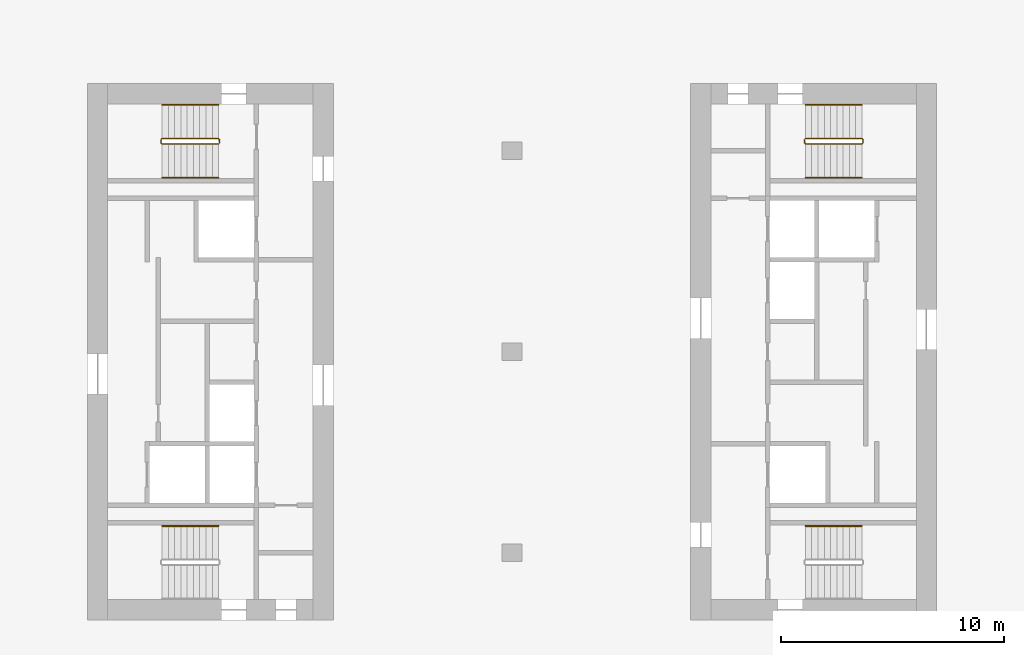
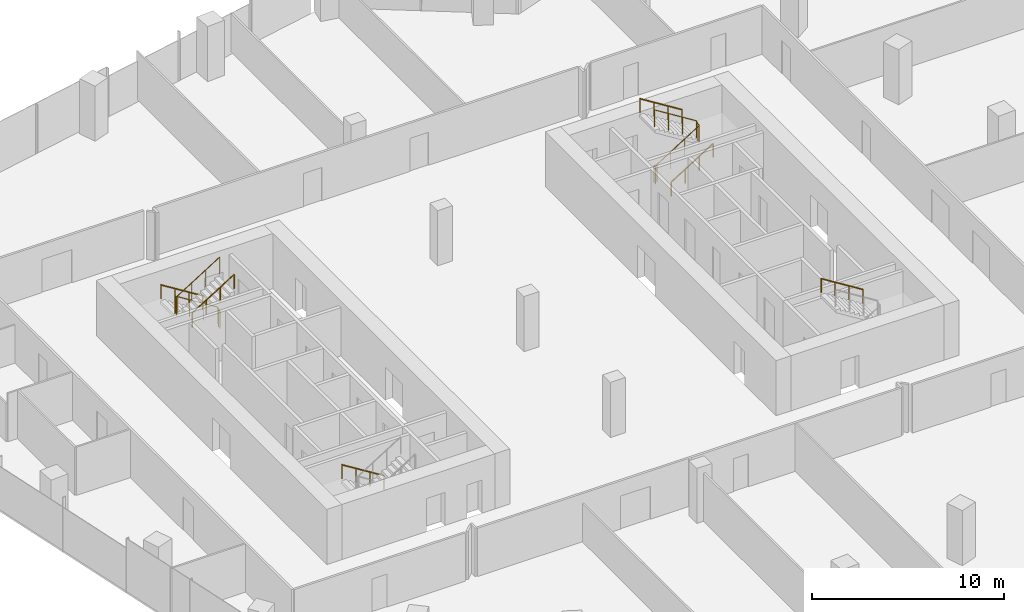
# One storey, part 24 of 24: 8 railings.
"""IFC4 building model written with IfcOpenShell, lengths in metres."""

from ifc_helpers import new_model, si_unit, direction, frame, origin, origin_2d, place, context, subcontext, project, spatial, circle, extrude, material, type_object, element, save


model = new_model("IFC4")

# Units and contexts
model_context = context("Model", 3, precision=1e-05, world=origin(), true_north=direction((0.0, 1.0)))
body_context = subcontext(model_context, "Body", "Model", "MODEL_VIEW")
ifc_project = project(units=[si_unit("LENGTHUNIT", "METRE"), si_unit("AREAUNIT", "SQUARE_METRE"), si_unit("VOLUMEUNIT", "CUBIC_METRE"), si_unit("PLANEANGLEUNIT", "RADIAN"), si_unit("MASSUNIT", "GRAM", prefix="KILO")], contexts=[model_context])

# Site, building, storey
site_placement = place(None, origin())
site = spatial("IfcSite", under=ifc_project, at=site_placement, CompositionType="ELEMENT")
building_placement = place(site_placement, origin())
building = spatial("IfcBuilding", under=site, at=building_placement, Name="Orlundy Tower", CompositionType="ELEMENT")
storey_placement = place(building_placement, frame((0.0, 0.0, 246.0)))
storey = spatial("IfcBuildingStorey", under=building, at=storey_placement, Name="L65", CompositionType="ELEMENT", Elevation=246.0)

# Railings
ifc_material_1 = material(Name="Steel balustrade", Category="steel")
railing_type_1 = type_object("IfcRailingType", Name="Stair Guard 1100", PredefinedType="GUARDRAIL", material=ifc_material_1)
railing_1_placement = place(storey_placement, frame((-13.090087890625, 9.5, 0.0)))
element("IfcRailing", 1, at=railing_1_placement, inside=storey, type_object=railing_type_1, Name="L65 ST-W1 stair guard 1", PredefinedType="GUARDRAIL", context=body_context, shape_type="SweptSolid", body=[
    extrude(circle(Radius=0.02392578125, at=origin_2d()), frame((0.0, 0.0, 1.076171875), z_axis=(0.0, -1.0, 0.0), x_axis=(1.0, 0.0, 0.0)), (0.0, 0.0, 1.0), 0.14990234375),
    extrude(circle(Radius=0.02392578125, at=origin_2d()), frame((0.0, -0.14990234375, 1.076171875), z_axis=(-0.18420542264, 0.739530593833, 0.647427882513), x_axis=(-0.970351222016, -0.241699205484, 0.0)), (0.0, 0.0, 1.0), 0.270263671875),
    extrude(circle(Radius=0.02392578125, at=origin_2d()), frame((-0.0498046875, 0.050048828125, 1.2509765625), z_axis=(-0.848007534815, 0.0, 0.529984170421), x_axis=(0.0, -1.0, 0.0)), (0.0, 0.0, 1.0), 2.9716796875),
    extrude(circle(Radius=0.02392578125, at=origin_2d()), frame((-2.56982421875, 0.050048828125, 2.826171875), z_axis=(-0.707106781187, -0.707106781187, 0.0), x_axis=(0.707106781187, -0.707106781187, 0.0)), (0.0, 0.0, 1.0), 0.07080078125),
    extrude(circle(Radius=0.02392578125, at=origin_2d()), frame((-2.619873046875, 0.0, 2.826171875), z_axis=(0.0, -1.0, 0.0), x_axis=(1.0, 0.0, 0.0)), (0.0, 0.0, 1.0), 0.14990234375),
    extrude(circle(Radius=0.02392578125, at=origin_2d()), frame((-2.619873046875, -0.14990234375, 2.826171875), z_axis=(0.265065253269, -0.265065253269, 0.927081885822), x_axis=(0.707106781187, 0.707106781187, 0.0)), (0.0, 0.0, 1.0), 0.188720703125),
    extrude(circle(Radius=0.02392578125, at=origin_2d()), frame((-2.56982421875, -0.199951171875, 3.0009765625), z_axis=(0.848007534815, 0.0, 0.529984170421), x_axis=(0.0, 1.0, 0.0)), (0.0, 0.0, 1.0), 2.9716796875),
    extrude(circle(Radius=0.02099609375, at=origin_2d()), origin(), (0.0, 0.0, 1.0), 1.052001953125),
    extrude(circle(Radius=0.02099609375, at=origin_2d()), frame((0.0, -0.14990234375, 0.0)), (0.0, 0.0, 1.0), 1.052001953125),
    extrude(circle(Radius=0.02099609375, at=origin_2d()), frame((-0.0498046875, 0.050048828125, 0.175048828125)), (0.0, 0.0, 1.0), 1.052001953125),
    extrude(circle(Radius=0.02099609375, at=origin_2d()), frame((-0.889892578125, 0.050048828125, 0.699951171875)), (0.0, 0.0, 1.0), 1.052001953125),
    extrude(circle(Radius=0.02099609375, at=origin_2d()), frame((-1.729736328125, 0.050048828125, 1.22509765625)), (0.0, 0.0, 1.0), 1.052001953125),
    extrude(circle(Radius=0.02099609375, at=origin_2d()), frame((-2.56982421875, 0.050048828125, 1.75)), (0.0, 0.0, 1.0), 1.052001953125),
    extrude(circle(Radius=0.02099609375, at=origin_2d()), frame((-2.619873046875, 0.0, 1.75)), (0.0, 0.0, 1.0), 1.052001953125),
    extrude(circle(Radius=0.02099609375, at=origin_2d()), frame((-2.619873046875, -0.14990234375, 1.75)), (0.0, 0.0, 1.0), 1.052001953125),
    extrude(circle(Radius=0.02099609375, at=origin_2d()), frame((-2.56982421875, -0.199951171875, 1.925048828125)), (0.0, 0.0, 1.0), 1.052001953125),
    extrude(circle(Radius=0.02099609375, at=origin_2d()), frame((-1.729736328125, -0.199951171875, 2.449951171875)), (0.0, 0.0, 1.0), 1.052001953125),
    extrude(circle(Radius=0.02099609375, at=origin_2d()), frame((-0.889892578125, -0.199951171875, 2.97509765625)), (0.0, 0.0, 1.0), 1.052001953125),
    extrude(circle(Radius=0.02099609375, at=origin_2d()), frame((-0.0498046875, -0.199951171875, 3.5)), (0.0, 0.0, 1.0), 1.052001953125),
])
railing_2_placement = place(storey_placement, frame((13.090087890625, 9.35009765625, 0.0)))
element("IfcRailing", 2, at=railing_2_placement, inside=storey, type_object=railing_type_1, Name="L65 ST-E2 stair guard 1", PredefinedType="GUARDRAIL", context=body_context, shape_type="SweptSolid", body=[
    extrude(circle(Radius=0.02392578125, at=origin_2d()), frame((0.0, 0.0, 1.076171875), z_axis=(0.0, 1.0, 0.0), x_axis=(-1.0, 0.0, 0.0)), (0.0, 0.0, 1.0), 0.14990234375),
    extrude(circle(Radius=0.02392578125, at=origin_2d()), frame((0.0, 0.14990234375, 1.076171875), z_axis=(0.18420542264, -0.739530593833, 0.647427882513), x_axis=(0.970351222016, 0.241699205484, 0.0)), (0.0, 0.0, 1.0), 0.270263671875),
    extrude(circle(Radius=0.02392578125, at=origin_2d()), frame((0.0498046875, -0.050048828125, 1.2509765625), z_axis=(0.848007534815, 0.0, 0.529984170421), x_axis=(0.0, 1.0, 0.0)), (0.0, 0.0, 1.0), 2.9716796875),
    extrude(circle(Radius=0.02392578125, at=origin_2d()), frame((2.56982421875, -0.050048828125, 2.826171875), z_axis=(0.707106781187, 0.707106781187, 0.0), x_axis=(-0.707106781187, 0.707106781187, 0.0)), (0.0, 0.0, 1.0), 0.07080078125),
    extrude(circle(Radius=0.02392578125, at=origin_2d()), frame((2.619873046875, 0.0, 2.826171875), z_axis=(0.0, 1.0, 0.0), x_axis=(-1.0, 0.0, 0.0)), (0.0, 0.0, 1.0), 0.14990234375),
    extrude(circle(Radius=0.02392578125, at=origin_2d()), frame((2.619873046875, 0.14990234375, 2.826171875), z_axis=(-0.265065253269, 0.265065253269, 0.927081885822), x_axis=(-0.707106781187, -0.707106781187, 0.0)), (0.0, 0.0, 1.0), 0.188720703125),
    extrude(circle(Radius=0.02392578125, at=origin_2d()), frame((2.56982421875, 0.199951171875, 3.0009765625), z_axis=(-0.848007534815, 0.0, 0.529984170421), x_axis=(0.0, -1.0, 0.0)), (0.0, 0.0, 1.0), 2.9716796875),
    extrude(circle(Radius=0.02099609375, at=origin_2d()), origin(), (0.0, 0.0, 1.0), 1.052001953125),
    extrude(circle(Radius=0.02099609375, at=origin_2d()), frame((0.0, 0.14990234375, 0.0)), (0.0, 0.0, 1.0), 1.052001953125),
    extrude(circle(Radius=0.02099609375, at=origin_2d()), frame((0.0498046875, -0.050048828125, 0.175048828125)), (0.0, 0.0, 1.0), 1.052001953125),
    extrude(circle(Radius=0.02099609375, at=origin_2d()), frame((0.889892578125, -0.050048828125, 0.699951171875)), (0.0, 0.0, 1.0), 1.052001953125),
    extrude(circle(Radius=0.02099609375, at=origin_2d()), frame((1.729736328125, -0.050048828125, 1.22509765625)), (0.0, 0.0, 1.0), 1.052001953125),
    extrude(circle(Radius=0.02099609375, at=origin_2d()), frame((2.56982421875, -0.050048828125, 1.75)), (0.0, 0.0, 1.0), 1.052001953125),
    extrude(circle(Radius=0.02099609375, at=origin_2d()), frame((2.619873046875, 0.0, 1.75)), (0.0, 0.0, 1.0), 1.052001953125),
    extrude(circle(Radius=0.02099609375, at=origin_2d()), frame((2.619873046875, 0.14990234375, 1.75)), (0.0, 0.0, 1.0), 1.052001953125),
    extrude(circle(Radius=0.02099609375, at=origin_2d()), frame((2.56982421875, 0.199951171875, 1.925048828125)), (0.0, 0.0, 1.0), 1.052001953125),
    extrude(circle(Radius=0.02099609375, at=origin_2d()), frame((1.729736328125, 0.199951171875, 2.449951171875)), (0.0, 0.0, 1.0), 1.052001953125),
    extrude(circle(Radius=0.02099609375, at=origin_2d()), frame((0.889892578125, 0.199951171875, 2.97509765625)), (0.0, 0.0, 1.0), 1.052001953125),
    extrude(circle(Radius=0.02099609375, at=origin_2d()), frame((0.0498046875, 0.199951171875, 3.5)), (0.0, 0.0, 1.0), 1.052001953125),
])
ifc_material_2 = material(Name="Steel handrail", Category="steel")
railing_type_2 = type_object("IfcRailingType", Name="Stair Handrail 900", PredefinedType="HANDRAIL", material=ifc_material_2)
railing_3_placement = place(storey_placement, frame((-13.139892578125, 11.050048828125, 0.175048828125)))
element("IfcRailing", 3, at=railing_3_placement, inside=storey, type_object=railing_type_2, Name="L65 ST-W1 stair handrail 1", PredefinedType="HANDRAIL", context=body_context, shape_type="SweptSolid", body=[
    extrude(circle(Radius=0.02392578125, at=origin_2d()), frame((0.0, 0.0, 0.8759765625), z_axis=(-0.848007534815, 0.0, 0.529984170421), x_axis=(0.0, -1.0, 0.0)), (0.0, 0.0, 1.0), 2.9716796875),
    extrude(circle(Radius=0.02099609375, at=origin_2d()), origin(), (0.0, 0.0, 1.0), 0.851806640625),
    extrude(circle(Radius=0.02099609375, at=origin_2d()), frame((-0.840087890625, 0.0, 0.52490234375)), (0.0, 0.0, 1.0), 0.851806640625),
    extrude(circle(Radius=0.02099609375, at=origin_2d()), frame((-1.679931640625, 0.0, 1.050048828125)), (0.0, 0.0, 1.0), 0.851806640625),
    extrude(circle(Radius=0.02099609375, at=origin_2d()), frame((-2.52001953125, 0.0, 1.574951171875)), (0.0, 0.0, 1.0), 0.851806640625),
])
railing_4_placement = place(storey_placement, frame((-15.659912109375, 7.800048828125, 1.925048828125)))
element("IfcRailing", 4, at=railing_4_placement, inside=storey, type_object=railing_type_2, Name="L65 ST-W1 stair handrail 2", PredefinedType="HANDRAIL", context=body_context, shape_type="SweptSolid", body=[
    extrude(circle(Radius=0.02392578125, at=origin_2d()), frame((0.0, 0.0, 0.8759765625), z_axis=(0.848007534815, 0.0, 0.529984170421), x_axis=(0.0, 1.0, 0.0)), (0.0, 0.0, 1.0), 2.9716796875),
    extrude(circle(Radius=0.02099609375, at=origin_2d()), origin(), (0.0, 0.0, 1.0), 0.851806640625),
    extrude(circle(Radius=0.02099609375, at=origin_2d()), frame((0.840087890625, 0.0, 0.52490234375)), (0.0, 0.0, 1.0), 0.851806640625),
    extrude(circle(Radius=0.02099609375, at=origin_2d()), frame((1.679931640625, 0.0, 1.050048828125)), (0.0, 0.0, 1.0), 0.851806640625),
    extrude(circle(Radius=0.02099609375, at=origin_2d()), frame((2.52001953125, 0.0, 1.574951171875)), (0.0, 0.0, 1.0), 0.851806640625),
])
for number, where, name in (
    (5, (-13.139892578125, -7.800048828125, 0.175048828125), "L65 ST-W2 stair handrail 1"),
    (6, (15.659912109375, -7.800048828125, 1.925048828125), "L65 ST-E1 stair handrail 2"),
):
    element("IfcRailing", number, at=place(storey_placement, frame(where)), inside=storey, type_object=railing_type_2, Name=name, PredefinedType="HANDRAIL", context=body_context, shape_type="SweptSolid", body=[
        extrude(circle(Radius=0.02392578125, at=origin_2d()), frame((0.0, 0.0, 0.8759765625), z_axis=(-0.848007534815, 0.0, 0.529984170421), x_axis=(0.0, -1.0, 0.0)), (0.0, 0.0, 1.0), 2.9716796875),
        extrude(circle(Radius=0.02099609375, at=origin_2d()), origin(), (0.0, 0.0, 1.0), 0.851806640625),
        extrude(circle(Radius=0.02099609375, at=origin_2d()), frame((-0.840087890625, 0.0, 0.52490234375)), (0.0, 0.0, 1.0), 0.851806640625),
        extrude(circle(Radius=0.02099609375, at=origin_2d()), frame((-1.679931640625, 0.0, 1.050048828125)), (0.0, 0.0, 1.0), 0.851806640625),
        extrude(circle(Radius=0.02099609375, at=origin_2d()), frame((-2.52001953125, 0.0, 1.574951171875)), (0.0, 0.0, 1.0), 0.851806640625),
    ])
railing_5_placement = place(storey_placement, frame((13.139892578125, 7.800048828125, 0.175048828125)))
element("IfcRailing", 7, at=railing_5_placement, inside=storey, type_object=railing_type_2, Name="L65 ST-E2 stair handrail 1", PredefinedType="HANDRAIL", context=body_context, shape_type="SweptSolid", body=[
    extrude(circle(Radius=0.02392578125, at=origin_2d()), frame((0.0, 0.0, 0.8759765625), z_axis=(0.848007534815, 0.0, 0.529984170421), x_axis=(0.0, 1.0, 0.0)), (0.0, 0.0, 1.0), 2.9716796875),
    extrude(circle(Radius=0.02099609375, at=origin_2d()), origin(), (0.0, 0.0, 1.0), 0.851806640625),
    extrude(circle(Radius=0.02099609375, at=origin_2d()), frame((0.840087890625, 0.0, 0.52490234375)), (0.0, 0.0, 1.0), 0.851806640625),
    extrude(circle(Radius=0.02099609375, at=origin_2d()), frame((1.679931640625, 0.0, 1.050048828125)), (0.0, 0.0, 1.0), 0.851806640625),
    extrude(circle(Radius=0.02099609375, at=origin_2d()), frame((2.52001953125, 0.0, 1.574951171875)), (0.0, 0.0, 1.0), 0.851806640625),
])
railing_6_placement = place(storey_placement, frame((15.659912109375, 11.050048828125, 1.925048828125)))
element("IfcRailing", 8, at=railing_6_placement, inside=storey, type_object=railing_type_2, Name="L65 ST-E2 stair handrail 2", PredefinedType="HANDRAIL", context=body_context, shape_type="SweptSolid", body=[
    extrude(circle(Radius=0.02392578125, at=origin_2d()), frame((0.0, 0.0, 0.8759765625), z_axis=(-0.848007534815, 0.0, 0.529984170421), x_axis=(0.0, -1.0, 0.0)), (0.0, 0.0, 1.0), 2.9716796875),
    extrude(circle(Radius=0.02099609375, at=origin_2d()), origin(), (0.0, 0.0, 1.0), 0.851806640625),
    extrude(circle(Radius=0.02099609375, at=origin_2d()), frame((-0.840087890625, 0.0, 0.52490234375)), (0.0, 0.0, 1.0), 0.851806640625),
    extrude(circle(Radius=0.02099609375, at=origin_2d()), frame((-1.679931640625, 0.0, 1.050048828125)), (0.0, 0.0, 1.0), 0.851806640625),
    extrude(circle(Radius=0.02099609375, at=origin_2d()), frame((-2.52001953125, 0.0, 1.574951171875)), (0.0, 0.0, 1.0), 0.851806640625),
])

save(model, "model.ifc")
